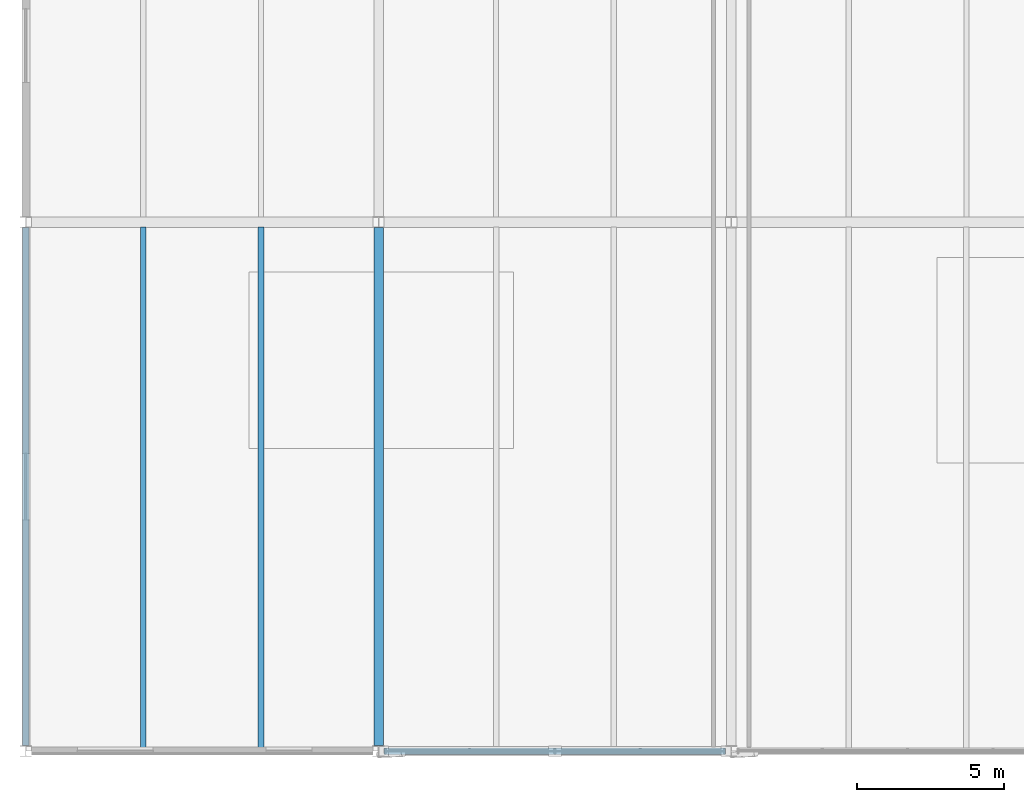
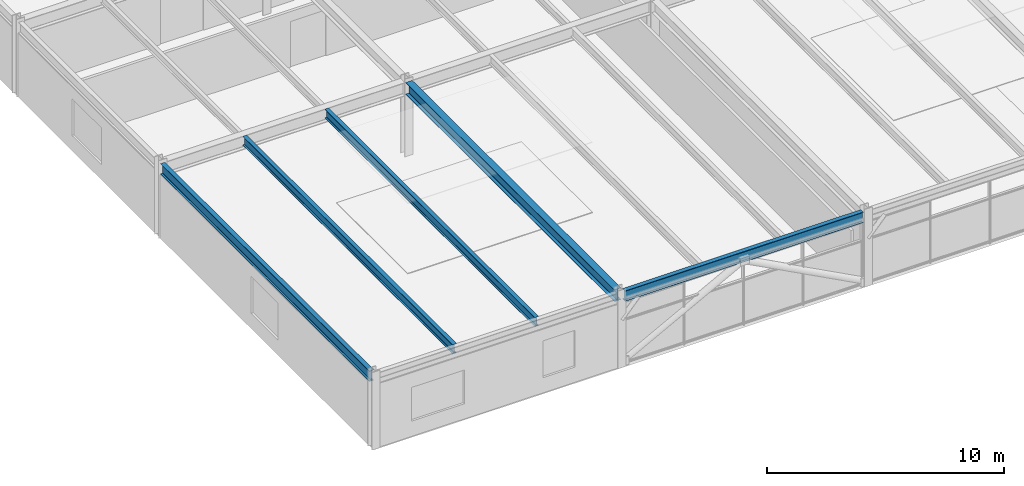
# One storey, part 9 of 51: 5 beams.
"""IFC4 building model written with IfcOpenShell, lengths in metres."""

from ifc_helpers import new_model, si_unit, direction, frame, origin, origin_2d, place, context, subcontext, project, spatial, i_section, extrude, material, material_profile, profile_set, type_object, element, save


model = new_model("IFC4")

# Units and contexts
model_context = context("Model", 3, precision=1e-05, world=origin(), true_north=direction((0.0, 1.0)))
body_context = subcontext(model_context, "Body", "Model", "MODEL_VIEW")
ifc_project = project(units=[si_unit("LENGTHUNIT", "METRE"), si_unit("AREAUNIT", "SQUARE_METRE"), si_unit("VOLUMEUNIT", "CUBIC_METRE"), si_unit("PLANEANGLEUNIT", "RADIAN"), si_unit("MASSUNIT", "GRAM", prefix="KILO")], contexts=[model_context])

# Site, building, storey
site_placement = place(None, origin())
site = spatial("IfcSite", under=ifc_project, at=site_placement, CompositionType="ELEMENT")
building_placement = place(site_placement, origin())
building = spatial("IfcBuilding", under=site, at=building_placement, Name="Girod Span Mobility Hub", CompositionType="ELEMENT")
storey_placement = place(building_placement, frame((0.0, 0.0, 41.60009765625)))
storey = spatial("IfcBuildingStorey", under=building, at=storey_placement, Name="L10", CompositionType="ELEMENT", Elevation=41.60009765625)

# Beams
ifc_material_1 = material(Name="Steel A992 Grade 50", Category="steel")
ifc_material_profile_1 = material_profile(ifc_material_1, i_section(OverallWidth=0.19189453125, OverallDepth=0.462890625, WebThickness=0.010498046875, FlangeThickness=0.017578125, FilletRadius=0.013916015625, at=origin_2d()), Name="W18X60")
ifc_profile_set_1 = profile_set([ifc_material_profile_1], Name="Steel A992 Grade 50")
beam_type_1 = type_object("IfcBeamType", Name="BM-STL-W18X60", PredefinedType="BEAM", material=ifc_profile_set_1)
for number, where, z_axis, x_axis, name in (
    (1, (28.0, 27.10302734375, 3.593505859375), (0.0, 1.0, 0.0), (-1.0, 0.0, 0.0), "Composite Floorbeam 3/C-1 L10"),
    (2, (32.0, 27.10302734375, 3.593505859375), (0.0, 1.0, 0.0), (-1.0, 0.0, 0.0), "Composite Floorbeam 3/C-2 L10"),
):
    element("IfcBeam", number, at=place(storey_placement, frame(where, z_axis=z_axis, x_axis=x_axis)), inside=storey, type_object=beam_type_1, Name=name, PredefinedType="BEAM", context=body_context, shape_type="SweptSolid", body=[
        extrude(i_section(OverallWidth=0.19189453125, OverallDepth=0.462890625, WebThickness=0.010498046875, FlangeThickness=0.017578125, FilletRadius=0.013916015625, at=origin_2d()), origin(), (0.0, 0.0, 1.0), 17.722412109375),
    ])
ifc_material_2 = material(Name="Steel A992 Grade 50", Category="steel")
ifc_material_profile_2 = material_profile(ifc_material_2, i_section(OverallWidth=0.2119140625, OverallDepth=0.5439453125, WebThickness=0.01318359375, FlangeThickness=0.021240234375, FilletRadius=0.014892578125, at=origin_2d()), Name="W21X83")
ifc_profile_set_2 = profile_set([ifc_material_profile_2], Name="Steel A992 Grade 50")
beam_type_2 = type_object("IfcBeamType", Name="BM-STL-W21X83", PredefinedType="SPANDREL", material=ifc_profile_set_2)
beam_1_placement = place(storey_placement, frame((36.194091796875, 27.0, 3.552978515625), z_axis=(1.0, 0.0, 0.0), x_axis=(0.0, 1.0, 0.0)))
element("IfcBeam", 3, at=beam_1_placement, inside=storey, type_object=beam_type_2, Name="Girder 4-5/C L10", PredefinedType="SPANDREL", context=body_context, shape_type="SweptSolid", body=[
    extrude(i_section(OverallWidth=0.2119140625, OverallDepth=0.5439453125, WebThickness=0.01318359375, FlangeThickness=0.021240234375, FilletRadius=0.014892578125, at=origin_2d()), origin(), (0.0, 0.0, 1.0), 11.61181640625),
])
beam_2_placement = place(storey_placement, frame((24.0, 27.1845703125, 3.552978515625), z_axis=(0.0, 1.0, 0.0), x_axis=(-1.0, 0.0, 0.0)))
element("IfcBeam", 4, at=beam_2_placement, inside=storey, type_object=beam_type_2, Name="Tie Girder 3/C-D L10", PredefinedType="SPANDREL", context=body_context, shape_type="SweptSolid", body=[
    extrude(i_section(OverallWidth=0.2119140625, OverallDepth=0.5439453125, WebThickness=0.01318359375, FlangeThickness=0.021240234375, FilletRadius=0.014892578125, at=origin_2d()), origin(), (0.0, 0.0, 1.0), 17.630859375),
])
ifc_material_3 = material(Name="Steel A992 Grade 50", Category="steel")
ifc_material_profile_3 = material_profile(ifc_material_3, i_section(OverallWidth=0.323974609375, OverallDepth=0.611083984375, WebThickness=0.0126953125, FlangeThickness=0.01904296875, FilletRadius=0.014892578125, at=origin_2d()), Name="W24X104")
ifc_profile_set_3 = profile_set([ifc_material_profile_3], Name="Steel A992 Grade 50")
beam_type_3 = type_object("IfcBeamType", Name="BM-STL-W24X104", PredefinedType="BEAM", material=ifc_profile_set_3)
beam_3_placement = place(storey_placement, frame((36.0, 27.1845703125, 3.519287109375), z_axis=(0.0, 1.0, 0.0), x_axis=(-1.0, 0.0, 0.0)))
element("IfcBeam", 5, at=beam_3_placement, inside=storey, type_object=beam_type_3, Name="Tie Girder 4/C-D L10", PredefinedType="BEAM", context=body_context, shape_type="SweptSolid", body=[
    extrude(i_section(OverallWidth=0.323974609375, OverallDepth=0.611083984375, WebThickness=0.0126953125, FlangeThickness=0.01904296875, FilletRadius=0.014892578125, at=origin_2d()), origin(), (0.0, 0.0, 1.0), 17.630859375),
])

save(model, "model.ifc")
